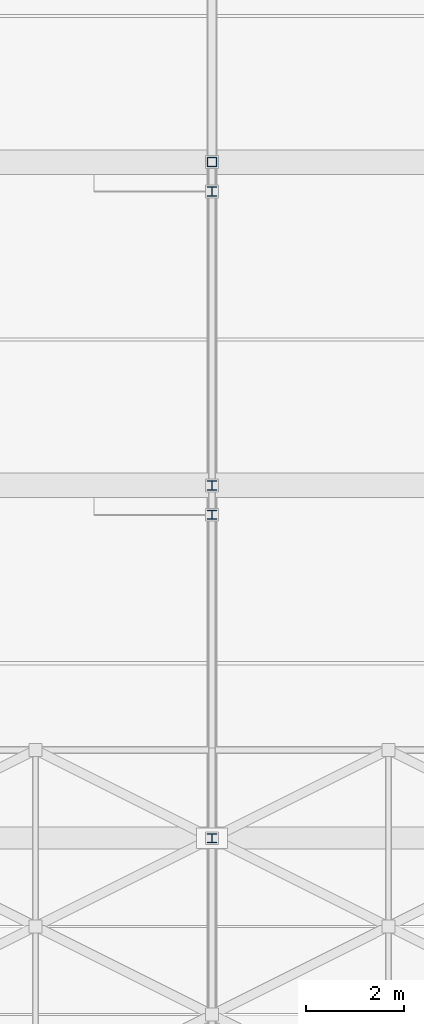
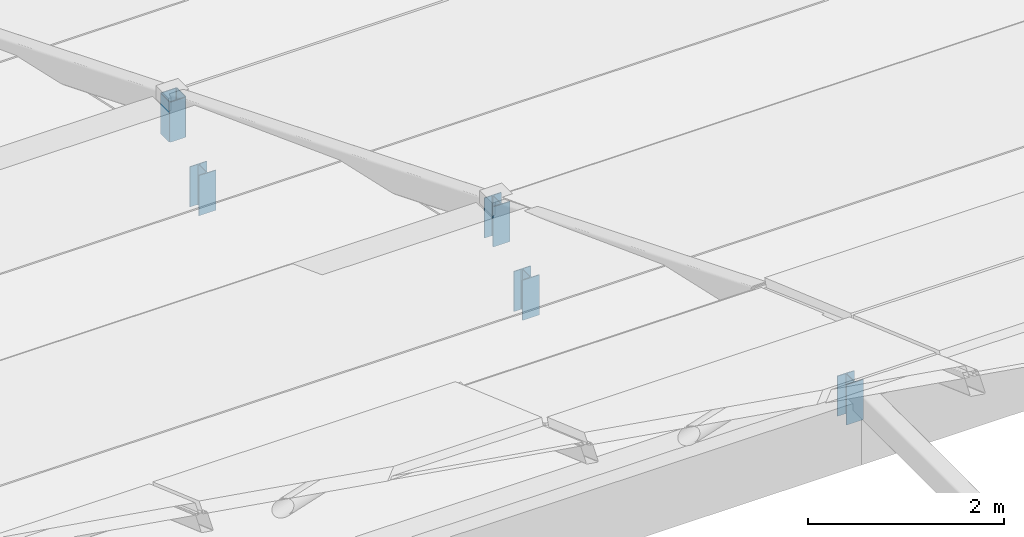
# One storey, part 80 of 112: 5 members.
"""IFC4 building model written with IfcOpenShell, lengths in metres."""

from ifc_helpers import new_model, si_unit, direction, frame, origin, origin_2d, place, context, subcontext, project, spatial, hollow_rectangle, i_section, extrude, material, material_profile, profile_set, type_object, element, save


model = new_model("IFC4")

# Units and contexts
model_context = context("Model", 3, precision=1e-05, world=origin(), true_north=direction((0.0, 1.0)))
body_context = subcontext(model_context, "Body", "Model", "MODEL_VIEW")
ifc_project = project(units=[si_unit("LENGTHUNIT", "METRE"), si_unit("AREAUNIT", "SQUARE_METRE"), si_unit("VOLUMEUNIT", "CUBIC_METRE"), si_unit("PLANEANGLEUNIT", "RADIAN"), si_unit("MASSUNIT", "GRAM", prefix="KILO")], contexts=[model_context])

# Site, building, storey
site_placement = place(None, origin())
site = spatial("IfcSite", under=ifc_project, at=site_placement, CompositionType="ELEMENT")
building_placement = place(site_placement, origin())
building = spatial("IfcBuilding", under=site, at=building_placement, Name="Zwinboog Wholesale Market", CompositionType="ELEMENT")
storey_placement = place(building_placement, frame((0.0, 0.0, 19.080078125)))
storey = spatial("IfcBuildingStorey", under=building, at=storey_placement, Name="Roof", CompositionType="ELEMENT", Elevation=19.080078125)

# Members
ifc_material = material(Name="Steel S355", Category="steel")
ifc_material_profile_1 = material_profile(ifc_material, hollow_rectangle(XDim=0.199951171875, YDim=0.199951171875, WallThickness=0.010009765625, InnerFilletRadius=0.010009765625, OuterFilletRadius=0.02001953125, at=origin_2d()), Name="SHS 200x200x10")
ifc_profile_set_1 = profile_set([ifc_material_profile_1], Name="Steel S355")
member_type_1 = type_object("IfcMemberType", Name="MT-04", PredefinedType="BRACE", material=ifc_profile_set_1)
member_placement = place(storey_placement, frame((118.800048828125, 94.800048828125, -4.630126953125), z_axis=(0.0, 0.0, 1.0), x_axis=(1.0, 0.0, 0.0)))
element("IfcMember", 1, at=member_placement, inside=storey, type_object=member_type_1, Name="DB-01 (MEM-Roof-0171)", PredefinedType="BRACE", context=body_context, shape_type="SweptSolid", body=[
    extrude(hollow_rectangle(XDim=0.199951171875, YDim=0.199951171875, WallThickness=0.010009765625, InnerFilletRadius=0.010009765625, OuterFilletRadius=0.02001953125, at=origin_2d()), origin(), (0.0, 0.0, 1.0), 0.5),
])
ifc_material_profile_2 = material_profile(ifc_material, i_section(OverallWidth=0.199951171875, OverallDepth=0.18994140625, WebThickness=0.006591796875, FlangeThickness=0.010009765625, FilletRadius=0.01806640625, at=origin_2d()), Name="HEA 200")
ifc_profile_set_2 = profile_set([ifc_material_profile_2], Name="Steel S355")
member_type_2 = type_object("IfcMemberType", Name="MT-05", PredefinedType="BRACE", material=ifc_profile_set_2)
for number, where, z_axis, x_axis, name in (
    (2, (118.800048828125, 94.199951171875, -5.18017578125), (0.0, 0.0, 1.0), (1.0, 0.0, 0.0), "DB-02 (MEM-Roof-0169)"),
    (3, (118.800048828125, 87.60009765625, -2.47998046875), (0.0, 0.0, 1.0), (1.0, 0.0, 0.0), "DB-02 (MEM-Roof-0172)"),
    (4, (118.800048828125, 88.199951171875, -1.93017578125), (0.0, 0.0, 1.0), (1.0, 0.0, 0.0), "DB-02 (MEM-Roof-0174)"),
    (5, (118.800048828125, 81.0, 0.219970703125), (0.0, 0.0, 1.0), (1.0, 0.0, 0.0), "DB-02 (MEM-Roof-0175)"),
):
    element("IfcMember", number, at=place(storey_placement, frame(where, z_axis=z_axis, x_axis=x_axis)), inside=storey, type_object=member_type_2, Name=name, PredefinedType="BRACE", context=body_context, shape_type="SweptSolid", body=[
        extrude(i_section(OverallWidth=0.199951171875, OverallDepth=0.18994140625, WebThickness=0.006591796875, FlangeThickness=0.010009765625, FilletRadius=0.01806640625, at=origin_2d()), origin(), (0.0, 0.0, 1.0), 0.5),
    ])

save(model, "model.ifc")
